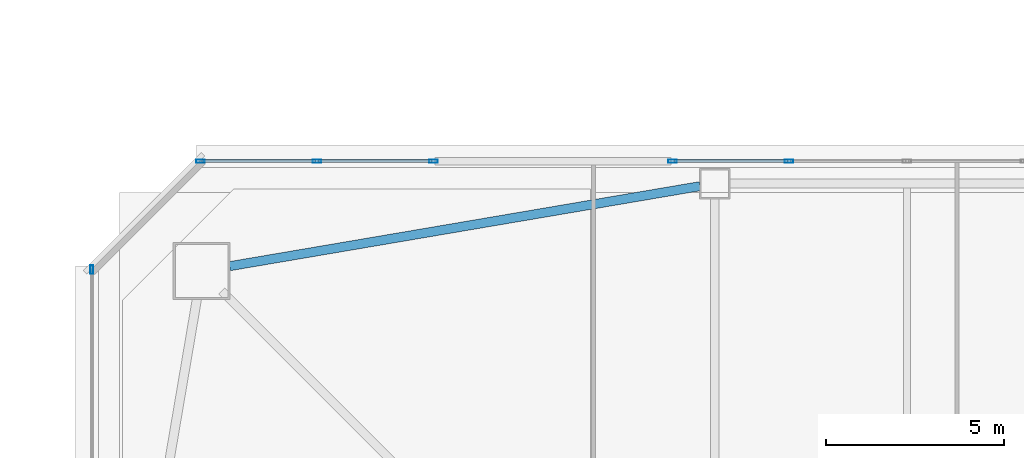
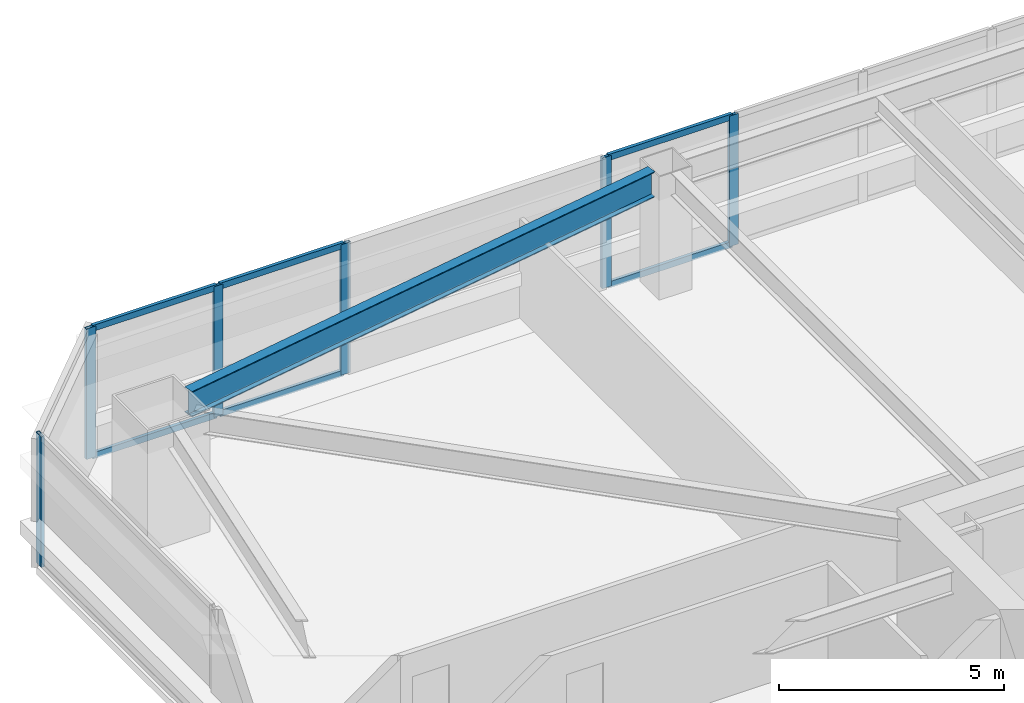
# One storey, part 13 of 47: 12 members, 1 beam, 3 elements without a shape of their own.
"""IFC4 building model written with IfcOpenShell, lengths in metres."""

from ifc_helpers import new_model, si_unit, direction, frame, origin, origin_2d, place, context, subcontext, project, spatial, hollow_rectangle, i_section, extrude, material, material_profile, profile_set, type_object, element, aggregate, save


model = new_model("IFC4")

# Units and contexts
model_context = context("Model", 3, precision=1e-05, world=origin(), true_north=direction((0.0, 1.0)))
body_context = subcontext(model_context, "Body", "Model", "MODEL_VIEW")
ifc_project = project(units=[si_unit("LENGTHUNIT", "METRE"), si_unit("AREAUNIT", "SQUARE_METRE"), si_unit("VOLUMEUNIT", "CUBIC_METRE"), si_unit("PLANEANGLEUNIT", "RADIAN"), si_unit("MASSUNIT", "GRAM", prefix="KILO")], contexts=[model_context])

# Site, building, storey
site_placement = place(None, origin())
site = spatial("IfcSite", under=ifc_project, at=site_placement, CompositionType="ELEMENT")
building_placement = place(site_placement, origin())
building = spatial("IfcBuilding", under=site, at=building_placement, Name="Tashvorn Skyway Center", CompositionType="ELEMENT")
storey_placement = place(building_placement, frame((0.0, 0.0, 42.35009765625)))
storey = spatial("IfcBuildingStorey", under=building, at=storey_placement, Name="L10", CompositionType="ELEMENT", Elevation=42.35009765625)

# Beam
ifc_material_1 = material(Name="Steel ASTM A992 Grade 50", Category="steel")
ifc_material_profile_1 = material_profile(ifc_material_1, i_section(OverallWidth=0.256103515625, OverallDepth=0.693115234375, WebThickness=0.014404296875, FlangeThickness=0.023681640625, at=origin_2d()), Name="W27X114")
ifc_profile_set_1 = profile_set([ifc_material_profile_1], Name="Steel ASTM A992 Grade 50")
beam_type = type_object("IfcBeamType", Name="BM-SPANDREL-W27X114", PredefinedType="SPANDREL", material=ifc_profile_set_1)
beam_placement = place(storey_placement, frame((36.18603515625, 54.179443359375, 3.00341796875), z_axis=(-0.985835025551, -0.16771792509, 0.0), x_axis=(0.16771792509, -0.985835025551, 0.0)))
element("IfcBeam", 1, at=beam_placement, inside=storey, type_object=beam_type, Name="Tower 1 L10 Spandrel Beam 09", PredefinedType="SPANDREL", context=body_context, shape_type="SweptSolid", body=[
    extrude(i_section(OverallWidth=0.256103515625, OverallDepth=0.693115234375, WebThickness=0.014404296875, FlangeThickness=0.023681640625, at=origin_2d()), origin(), (0.0, 0.0, 1.0), 13.39208984375),
])

# Curtain wall, member
ifc_material_2 = material(Name="Thermally broken bronze-anodized aluminium 6063-T6", Category="aluminium")
curtain_wall_type = type_object("IfcCurtainWallType", Name="CW-CW-Z1", PredefinedType="NOTDEFINED", material=ifc_material_2)
curtain_wall_1_placement = place(storey_placement, origin())
curtain_wall_1 = element("IfcCurtainWall", 2, at=curtain_wall_1_placement, inside=storey, type_object=curtain_wall_type, Name="Tower 1 L10 West Curtain Wall R Glazing Group 2", PredefinedType="NOTDEFINED")
ifc_material_profile_2 = material_profile(ifc_material_2, hollow_rectangle(XDim=0.0849609375, YDim=0.239990234375, WallThickness=0.0048828125, at=origin_2d()), Name="ALU-MULL-85x240")
ifc_profile_set_2 = profile_set([ifc_material_profile_2], Name="Thermally broken bronze-anodized aluminium 6063-T6")
member_type_1 = type_object("IfcMemberType", Name="CWM-CW-Z1", PredefinedType="MULLION", material=ifc_profile_set_2)
member_1_placement = place(storey_placement, frame((19.1201171875, 51.83740234375, 0.0), z_axis=(0.0, 0.0, 1.0), x_axis=(-1.0, 0.0, 0.0)))
member_1 = element("IfcMember", 3, at=member_1_placement, type_object=member_type_1, Name="CW-Z1 mullion 2", PredefinedType="MULLION", context=body_context, shape_type="SweptSolid", body=[
    extrude(hollow_rectangle(XDim=0.0849609375, YDim=0.239990234375, WallThickness=0.0048828125, at=origin_2d()), origin(), (0.0, 0.0, 1.0), 3.5498046875),
])
aggregate(curtain_wall_1, [member_1])

# Curtain wall, members
curtain_wall_2_placement = place(storey_placement, origin())
curtain_wall_2 = element("IfcCurtainWall", 4, at=curtain_wall_2_placement, inside=storey, type_object=curtain_wall_type, Name="Tower 1 L10 North Unitised Curtain Wall Glazing Group 1", PredefinedType="NOTDEFINED")
member_2_placement = place(storey_placement, frame((22.16259765625, 54.8798828125, 0.0), z_axis=(0.0, 0.0, 1.0), x_axis=(0.0, 1.0, 0.0)))
member_2 = element("IfcMember", 5, at=member_2_placement, type_object=member_type_1, Name="CW-Z1 mullion 1", PredefinedType="MULLION", context=body_context, shape_type="SweptSolid", body=[
    extrude(hollow_rectangle(XDim=0.0849609375, YDim=0.239990234375, WallThickness=0.0048828125, at=origin_2d()), origin(), (0.0, 0.0, 1.0), 3.5498046875),
])
member_3_placement = place(storey_placement, frame((25.433349609375, 54.8798828125, 0.0), z_axis=(0.0, 0.0, 1.0), x_axis=(0.0, 1.0, 0.0)))
member_3 = element("IfcMember", 6, at=member_3_placement, type_object=member_type_1, Name="CW-Z1 mullion 2", PredefinedType="MULLION", context=body_context, shape_type="SweptSolid", body=[
    extrude(hollow_rectangle(XDim=0.0849609375, YDim=0.239990234375, WallThickness=0.0048828125, at=origin_2d()), origin(), (0.0, 0.0, 1.0), 3.5498046875),
])
member_4_placement = place(storey_placement, frame((28.7041015625, 54.8798828125, 0.0), z_axis=(0.0, 0.0, 1.0), x_axis=(0.0, 1.0, 0.0)))
member_4 = element("IfcMember", 7, at=member_4_placement, type_object=member_type_1, Name="CW-Z1 mullion 3", PredefinedType="MULLION", context=body_context, shape_type="SweptSolid", body=[
    extrude(hollow_rectangle(XDim=0.0849609375, YDim=0.239990234375, WallThickness=0.0048828125, at=origin_2d()), origin(), (0.0, 0.0, 1.0), 3.5498046875),
])

curtain_wall_3_placement = place(storey_placement, origin())
curtain_wall_3 = element("IfcCurtainWall", 8, at=curtain_wall_3_placement, inside=storey, type_object=curtain_wall_type, Name="Tower 1 L10 North Unitised Curtain Wall Glazing Group 2", PredefinedType="NOTDEFINED")
member_5_placement = place(storey_placement, frame((35.415771484375, 54.8798828125, 0.0), z_axis=(0.0, 0.0, 1.0), x_axis=(0.0, 1.0, 0.0)))
member_5 = element("IfcMember", 9, at=member_5_placement, type_object=member_type_1, Name="CW-Z1 mullion 1", PredefinedType="MULLION", context=body_context, shape_type="SweptSolid", body=[
    extrude(hollow_rectangle(XDim=0.0849609375, YDim=0.239990234375, WallThickness=0.0048828125, at=origin_2d()), origin(), (0.0, 0.0, 1.0), 3.5498046875),
])
member_6_placement = place(storey_placement, frame((38.686767578125, 54.8798828125, 0.0), z_axis=(0.0, 0.0, 1.0), x_axis=(0.0, 1.0, 0.0)))
member_6 = element("IfcMember", 10, at=member_6_placement, type_object=member_type_1, Name="CW-Z1 mullion 2", PredefinedType="MULLION", context=body_context, shape_type="SweptSolid", body=[
    extrude(hollow_rectangle(XDim=0.0849609375, YDim=0.239990234375, WallThickness=0.0048828125, at=origin_2d()), origin(), (0.0, 0.0, 1.0), 3.5498046875),
])

# Member
ifc_material_profile_3 = material_profile(ifc_material_2, hollow_rectangle(XDim=0.0849609375, YDim=0.1650390625, WallThickness=0.0048828125, at=origin_2d()), Name="ALU-TRAN-85x165")
ifc_profile_set_3 = profile_set([ifc_material_profile_3], Name="Thermally broken bronze-anodized aluminium 6063-T6")
member_type_2 = type_object("IfcMemberType", Name="CWT-CW-Z1", PredefinedType="USERDEFINED", material=ifc_profile_set_3)
member_7_placement = place(storey_placement, frame((22.205078125, 54.8798828125, 0.04248046875), z_axis=(1.0, 0.0, 0.0), x_axis=(0.0, 1.0, 0.0)))
member_7 = element("IfcMember", 11, at=member_7_placement, type_object=member_type_2, Name="CW-Z1 transom 1.1", ObjectType="TRANSOM", PredefinedType="USERDEFINED", context=body_context, shape_type="SweptSolid", body=[
    extrude(hollow_rectangle(XDim=0.0849609375, YDim=0.1650390625, WallThickness=0.0048828125, at=origin_2d()), origin(), (0.0, 0.0, 1.0), 3.185791015625),
])

member_8_placement = place(storey_placement, frame((22.205078125, 54.8798828125, 3.50732421875), z_axis=(1.0, 0.0, 0.0), x_axis=(0.0, 1.0, 0.0)))
member_8 = element("IfcMember", 12, at=member_8_placement, type_object=member_type_2, Name="CW-Z1 transom 1.2", ObjectType="TRANSOM", PredefinedType="USERDEFINED", context=body_context, shape_type="SweptSolid", body=[
    extrude(hollow_rectangle(XDim=0.0849609375, YDim=0.1650390625, WallThickness=0.0048828125, at=origin_2d()), origin(), (0.0, 0.0, 1.0), 3.185791015625),
])

member_9_placement = place(storey_placement, frame((25.475830078125, 54.8798828125, 0.04248046875), z_axis=(1.0, 0.0, 0.0), x_axis=(0.0, 1.0, 0.0)))
member_9 = element("IfcMember", 13, at=member_9_placement, type_object=member_type_2, Name="CW-Z1 transom 2.1", ObjectType="TRANSOM", PredefinedType="USERDEFINED", context=body_context, shape_type="SweptSolid", body=[
    extrude(hollow_rectangle(XDim=0.0849609375, YDim=0.1650390625, WallThickness=0.0048828125, at=origin_2d()), origin(), (0.0, 0.0, 1.0), 3.185791015625),
])

member_10_placement = place(storey_placement, frame((25.475830078125, 54.8798828125, 3.50732421875), z_axis=(1.0, 0.0, 0.0), x_axis=(0.0, 1.0, 0.0)))
member_10 = element("IfcMember", 14, at=member_10_placement, type_object=member_type_2, Name="CW-Z1 transom 2.2", ObjectType="TRANSOM", PredefinedType="USERDEFINED", context=body_context, shape_type="SweptSolid", body=[
    extrude(hollow_rectangle(XDim=0.0849609375, YDim=0.1650390625, WallThickness=0.0048828125, at=origin_2d()), origin(), (0.0, 0.0, 1.0), 3.185791015625),
])

aggregate(curtain_wall_2, [member_2, member_3, member_4, member_7, member_8, member_9, member_10])

member_11_placement = place(storey_placement, frame((35.458251953125, 54.8798828125, 0.04248046875), z_axis=(1.0, 0.0, 0.0), x_axis=(0.0, 1.0, 0.0)))
member_11 = element("IfcMember", 15, at=member_11_placement, type_object=member_type_2, Name="CW-Z1 transom 1.1", ObjectType="TRANSOM", PredefinedType="USERDEFINED", context=body_context, shape_type="SweptSolid", body=[
    extrude(hollow_rectangle(XDim=0.0849609375, YDim=0.1650390625, WallThickness=0.0048828125, at=origin_2d()), origin(), (0.0, 0.0, 1.0), 3.185791015625),
])

member_12_placement = place(storey_placement, frame((35.458251953125, 54.8798828125, 3.50732421875), z_axis=(1.0, 0.0, 0.0), x_axis=(0.0, 1.0, 0.0)))
member_12 = element("IfcMember", 16, at=member_12_placement, type_object=member_type_2, Name="CW-Z1 transom 1.2", ObjectType="TRANSOM", PredefinedType="USERDEFINED", context=body_context, shape_type="SweptSolid", body=[
    extrude(hollow_rectangle(XDim=0.0849609375, YDim=0.1650390625, WallThickness=0.0048828125, at=origin_2d()), origin(), (0.0, 0.0, 1.0), 3.185791015625),
])

aggregate(curtain_wall_3, [member_5, member_6, member_11, member_12])

save(model, "model.ifc")
